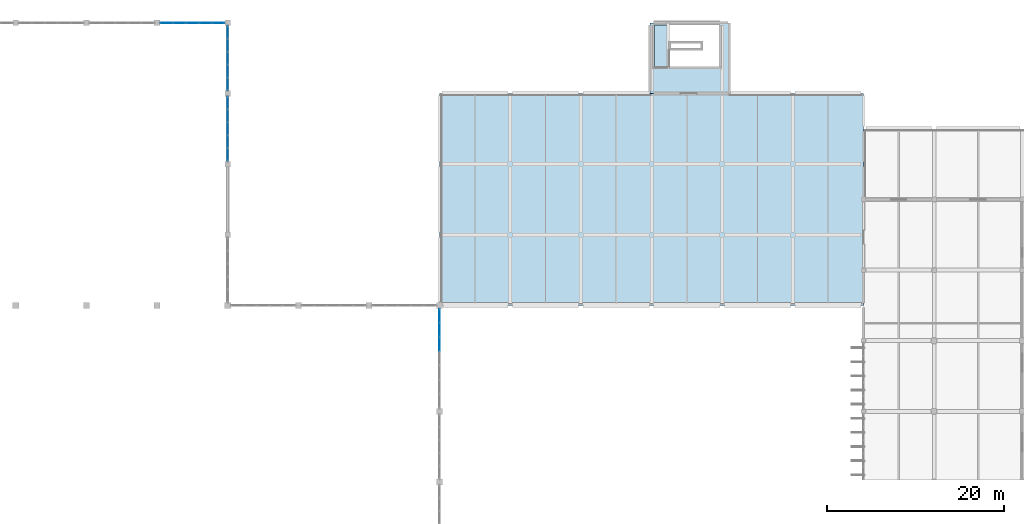
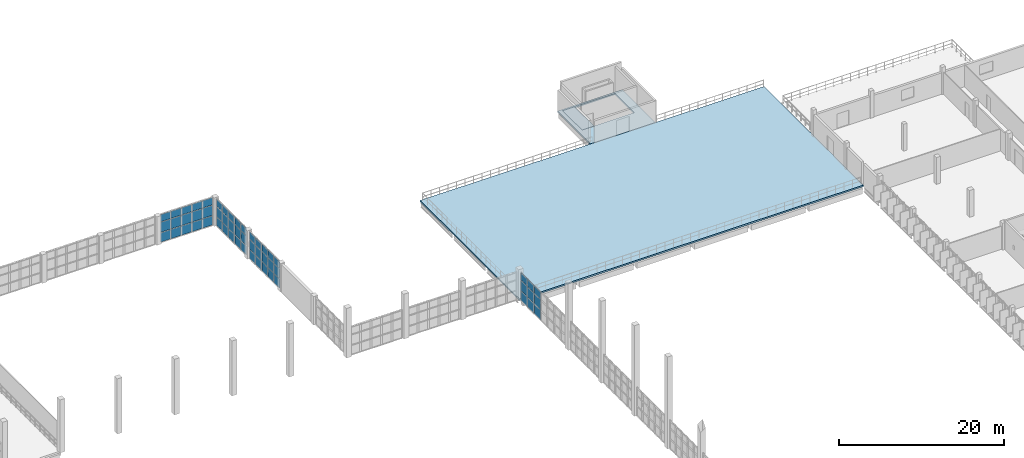
# One storey, part 41 of 66: 54 plates, 3 slabs, 4 elements without a shape of their own.
"""IFC4 building model written with IfcOpenShell, lengths in metres."""

from ifc_helpers import new_model, si_unit, direction, frame, origin, origin_2d, place, context, subcontext, project, spatial, polyline, rectangle, outline, extrude, material, layer, layer_set, type_object, element, aggregate, save


model = new_model("IFC4")

# Units and contexts
model_context = context("Model", 3, precision=1e-05, world=origin(), true_north=direction((0.0, 1.0)))
body_context = subcontext(model_context, "Body", "Model", "MODEL_VIEW")
ifc_project = project(units=[si_unit("LENGTHUNIT", "METRE"), si_unit("AREAUNIT", "SQUARE_METRE"), si_unit("VOLUMEUNIT", "CUBIC_METRE"), si_unit("PLANEANGLEUNIT", "RADIAN"), si_unit("MASSUNIT", "GRAM", prefix="KILO")], contexts=[model_context])

# Site, building, storey
site_placement = place(None, origin())
site = spatial("IfcSite", under=ifc_project, at=site_placement, CompositionType="ELEMENT")
building_placement = place(site_placement, origin())
building = spatial("IfcBuilding", under=site, at=building_placement, Name="Drelvana Railside Aquatics Centre", CompositionType="ELEMENT")
storey_placement = place(building_placement, frame((0.0, 0.0, 10.199951171875)))
storey = spatial("IfcBuildingStorey", under=building, at=storey_placement, Name="L02", CompositionType="ELEMENT", Elevation=10.199951171875)

# Curtain wall, plates
ifc_material_1 = material(Name="Bronze-anodised aluminium curtain wall", Category="aluminium")
ifc_layer_1 = layer(ifc_material_1, 0.219970703125, Name="Bronze-anodised aluminium curtain wall")
ifc_layer_set_1 = layer_set([ifc_layer_1], Name="Bronze-anodised aluminium curtain wall")
curtain_wall_type = type_object("IfcCurtainWallType", Name="CW-Z3-HIGH", PredefinedType="NOTDEFINED", material=ifc_layer_set_1)
curtain_wall_1_placement = place(storey_placement, origin())
curtain_wall_1 = element("IfcCurtainWall", 1, at=curtain_wall_1_placement, inside=storey, type_object=curtain_wall_type, Name="Curtain wall CW-03-041", PredefinedType="NOTDEFINED")
ifc_material_2 = material(Name="Double-glazed low-e solar-control glass", Category="glass")
ifc_layer_2 = layer(ifc_material_2, 0.035888671875, Name="Double-glazed low-e solar-control glass")
ifc_layer_set_2 = layer_set([ifc_layer_2], Name="Double-glazed low-e solar-control glass")
plate_type = type_object("IfcPlateType", Name="CW-Z3-HIGH-PAN", PredefinedType="CURTAIN_PANEL", material=ifc_layer_set_2)
plate_1_placement = place(storey_placement, frame((65.0751953125, 116.0, 0.06396484375), z_axis=(0.0, 0.0, 1.0), x_axis=(1.0, 0.0, 0.0)))
plate_1 = element("IfcPlate", 2, at=plate_1_placement, type_object=plate_type, Name="CW-03 panel 1.1", PredefinedType="CURTAIN_PANEL", context=body_context, shape_type="SweptSolid", body=[
    extrude(rectangle(XDim=1.3623046875, YDim=0.035888671875, at=origin_2d()), origin(), (0.0, 0.0, 1.0), 1.366455078125),
])
plate_2_placement = place(storey_placement, frame((65.0751953125, 116.0, 1.49560546875), z_axis=(0.0, 0.0, 1.0), x_axis=(1.0, 0.0, 0.0)))
plate_2 = element("IfcPlate", 3, at=plate_2_placement, type_object=plate_type, Name="CW-03 panel 1.2", PredefinedType="CURTAIN_PANEL", context=body_context, shape_type="SweptSolid", body=[
    extrude(rectangle(XDim=1.3623046875, YDim=0.035888671875, at=origin_2d()), origin(), (0.0, 0.0, 1.0), 1.487060546875),
])
plate_3_placement = place(storey_placement, frame((65.0751953125, 116.0, 3.04736328125), z_axis=(0.0, 0.0, 1.0), x_axis=(1.0, 0.0, 0.0)))
plate_3 = element("IfcPlate", 4, at=plate_3_placement, type_object=plate_type, Name="CW-03 panel 1.3", PredefinedType="CURTAIN_PANEL", context=body_context, shape_type="SweptSolid", body=[
    extrude(rectangle(XDim=1.3623046875, YDim=0.035888671875, at=origin_2d()), origin(), (0.0, 0.0, 1.0), 1.072509765625),
])
plate_4_placement = place(storey_placement, frame((66.527587890625, 116.0, 0.06396484375), z_axis=(0.0, 0.0, 1.0), x_axis=(1.0, 0.0, 0.0)))
plate_4 = element("IfcPlate", 5, at=plate_4_placement, type_object=plate_type, Name="CW-03 panel 2.1", PredefinedType="CURTAIN_PANEL", context=body_context, shape_type="SweptSolid", body=[
    extrude(rectangle(XDim=1.40234375, YDim=0.035888671875, at=origin_2d()), origin(), (0.0, 0.0, 1.0), 1.366455078125),
])
plate_5_placement = place(storey_placement, frame((66.527587890625, 116.0, 1.49560546875), z_axis=(0.0, 0.0, 1.0), x_axis=(1.0, 0.0, 0.0)))
plate_5 = element("IfcPlate", 6, at=plate_5_placement, type_object=plate_type, Name="CW-03 panel 2.2", PredefinedType="CURTAIN_PANEL", context=body_context, shape_type="SweptSolid", body=[
    extrude(rectangle(XDim=1.40234375, YDim=0.035888671875, at=origin_2d()), origin(), (0.0, 0.0, 1.0), 1.487060546875),
])
plate_6_placement = place(storey_placement, frame((66.527587890625, 116.0, 3.04736328125), z_axis=(0.0, 0.0, 1.0), x_axis=(1.0, 0.0, 0.0)))
plate_6 = element("IfcPlate", 7, at=plate_6_placement, type_object=plate_type, Name="CW-03 panel 2.3", PredefinedType="CURTAIN_PANEL", context=body_context, shape_type="SweptSolid", body=[
    extrude(rectangle(XDim=1.40234375, YDim=0.035888671875, at=origin_2d()), origin(), (0.0, 0.0, 1.0), 1.072509765625),
])
plate_7_placement = place(storey_placement, frame((68.0, 116.0, 0.06396484375), z_axis=(0.0, 0.0, 1.0), x_axis=(1.0, 0.0, 0.0)))
plate_7 = element("IfcPlate", 8, at=plate_7_placement, type_object=plate_type, Name="CW-03 panel 3.1", PredefinedType="CURTAIN_PANEL", context=body_context, shape_type="SweptSolid", body=[
    extrude(rectangle(XDim=1.40234375, YDim=0.035888671875, at=origin_2d()), origin(), (0.0, 0.0, 1.0), 1.366455078125),
])
plate_8_placement = place(storey_placement, frame((68.0, 116.0, 1.49560546875), z_axis=(0.0, 0.0, 1.0), x_axis=(1.0, 0.0, 0.0)))
plate_8 = element("IfcPlate", 9, at=plate_8_placement, type_object=plate_type, Name="CW-03 panel 3.2", PredefinedType="CURTAIN_PANEL", context=body_context, shape_type="SweptSolid", body=[
    extrude(rectangle(XDim=1.40234375, YDim=0.035888671875, at=origin_2d()), origin(), (0.0, 0.0, 1.0), 1.487060546875),
])
plate_9_placement = place(storey_placement, frame((68.0, 116.0, 3.04736328125), z_axis=(0.0, 0.0, 1.0), x_axis=(1.0, 0.0, 0.0)))
plate_9 = element("IfcPlate", 10, at=plate_9_placement, type_object=plate_type, Name="CW-03 panel 3.3", PredefinedType="CURTAIN_PANEL", context=body_context, shape_type="SweptSolid", body=[
    extrude(rectangle(XDim=1.40234375, YDim=0.035888671875, at=origin_2d()), origin(), (0.0, 0.0, 1.0), 1.072509765625),
])
plate_10_placement = place(storey_placement, frame((69.472412109375, 116.0, 0.06396484375), z_axis=(0.0, 0.0, 1.0), x_axis=(1.0, 0.0, 0.0)))
plate_10 = element("IfcPlate", 11, at=plate_10_placement, type_object=plate_type, Name="CW-03 panel 4.1", PredefinedType="CURTAIN_PANEL", context=body_context, shape_type="SweptSolid", body=[
    extrude(rectangle(XDim=1.40234375, YDim=0.035888671875, at=origin_2d()), origin(), (0.0, 0.0, 1.0), 1.366455078125),
])
plate_11_placement = place(storey_placement, frame((69.472412109375, 116.0, 1.49560546875), z_axis=(0.0, 0.0, 1.0), x_axis=(1.0, 0.0, 0.0)))
plate_11 = element("IfcPlate", 12, at=plate_11_placement, type_object=plate_type, Name="CW-03 panel 4.2", PredefinedType="CURTAIN_PANEL", context=body_context, shape_type="SweptSolid", body=[
    extrude(rectangle(XDim=1.40234375, YDim=0.035888671875, at=origin_2d()), origin(), (0.0, 0.0, 1.0), 1.487060546875),
])
plate_12_placement = place(storey_placement, frame((69.472412109375, 116.0, 3.04736328125), z_axis=(0.0, 0.0, 1.0), x_axis=(1.0, 0.0, 0.0)))
plate_12 = element("IfcPlate", 13, at=plate_12_placement, type_object=plate_type, Name="CW-03 panel 4.3", PredefinedType="CURTAIN_PANEL", context=body_context, shape_type="SweptSolid", body=[
    extrude(rectangle(XDim=1.40234375, YDim=0.035888671875, at=origin_2d()), origin(), (0.0, 0.0, 1.0), 1.072509765625),
])
plate_13_placement = place(storey_placement, frame((70.9248046875, 116.0, 0.06396484375), z_axis=(0.0, 0.0, 1.0), x_axis=(1.0, 0.0, 0.0)))
plate_13 = element("IfcPlate", 14, at=plate_13_placement, type_object=plate_type, Name="CW-03 panel 5.1", PredefinedType="CURTAIN_PANEL", context=body_context, shape_type="SweptSolid", body=[
    extrude(rectangle(XDim=1.3623046875, YDim=0.035888671875, at=origin_2d()), origin(), (0.0, 0.0, 1.0), 1.366455078125),
])
plate_14_placement = place(storey_placement, frame((70.9248046875, 116.0, 1.49560546875), z_axis=(0.0, 0.0, 1.0), x_axis=(1.0, 0.0, 0.0)))
plate_14 = element("IfcPlate", 15, at=plate_14_placement, type_object=plate_type, Name="CW-03 panel 5.2", PredefinedType="CURTAIN_PANEL", context=body_context, shape_type="SweptSolid", body=[
    extrude(rectangle(XDim=1.3623046875, YDim=0.035888671875, at=origin_2d()), origin(), (0.0, 0.0, 1.0), 1.487060546875),
])
plate_15_placement = place(storey_placement, frame((70.9248046875, 116.0, 3.04736328125), z_axis=(0.0, 0.0, 1.0), x_axis=(1.0, 0.0, 0.0)))
plate_15 = element("IfcPlate", 16, at=plate_15_placement, type_object=plate_type, Name="CW-03 panel 5.3", PredefinedType="CURTAIN_PANEL", context=body_context, shape_type="SweptSolid", body=[
    extrude(rectangle(XDim=1.3623046875, YDim=0.035888671875, at=origin_2d()), origin(), (0.0, 0.0, 1.0), 1.072509765625),
])
aggregate(curtain_wall_1, [plate_1, plate_2, plate_3, plate_4, plate_5, plate_6, plate_7, plate_8, plate_9, plate_10, plate_11, plate_12, plate_13, plate_14, plate_15])

curtain_wall_2_placement = place(storey_placement, origin())
curtain_wall_2 = element("IfcCurtainWall", 17, at=curtain_wall_2_placement, inside=storey, type_object=curtain_wall_type, Name="Curtain wall CW-03-080", PredefinedType="NOTDEFINED")
plate_16_placement = place(storey_placement, frame((96.0, 79.615966796875, 0.06396484375), z_axis=(0.0, 0.0, 1.0), x_axis=(0.0, 1.0, 0.0)))
plate_16 = element("IfcPlate", 18, at=plate_16_placement, type_object=plate_type, Name="CW-03 panel 5.1", PredefinedType="CURTAIN_PANEL", context=body_context, shape_type="SweptSolid", body=[
    extrude(rectangle(XDim=1.5458984375, YDim=0.035888671875, at=origin_2d()), origin(), (0.0, 0.0, 1.0), 1.366455078125),
])
plate_17_placement = place(storey_placement, frame((96.0, 79.615966796875, 1.49560546875), z_axis=(0.0, 0.0, 1.0), x_axis=(0.0, 1.0, 0.0)))
plate_17 = element("IfcPlate", 19, at=plate_17_placement, type_object=plate_type, Name="CW-03 panel 5.2", PredefinedType="CURTAIN_PANEL", context=body_context, shape_type="SweptSolid", body=[
    extrude(rectangle(XDim=1.5458984375, YDim=0.035888671875, at=origin_2d()), origin(), (0.0, 0.0, 1.0), 1.487060546875),
])
plate_18_placement = place(storey_placement, frame((96.0, 79.615966796875, 3.04736328125), z_axis=(0.0, 0.0, 1.0), x_axis=(0.0, 1.0, 0.0)))
plate_18 = element("IfcPlate", 20, at=plate_18_placement, type_object=plate_type, Name="CW-03 panel 5.3", PredefinedType="CURTAIN_PANEL", context=body_context, shape_type="SweptSolid", body=[
    extrude(rectangle(XDim=1.5458984375, YDim=0.035888671875, at=origin_2d()), origin(), (0.0, 0.0, 1.0), 1.072509765625),
])
plate_19_placement = place(storey_placement, frame((96.0, 81.23193359375, 0.06396484375), z_axis=(0.0, 0.0, 1.0), x_axis=(0.0, 1.0, 0.0)))
plate_19 = element("IfcPlate", 21, at=plate_19_placement, type_object=plate_type, Name="CW-03 panel 6.1", PredefinedType="CURTAIN_PANEL", context=body_context, shape_type="SweptSolid", body=[
    extrude(rectangle(XDim=1.5458984375, YDim=0.035888671875, at=origin_2d()), origin(), (0.0, 0.0, 1.0), 1.366455078125),
])
plate_20_placement = place(storey_placement, frame((96.0, 81.23193359375, 1.49560546875), z_axis=(0.0, 0.0, 1.0), x_axis=(0.0, 1.0, 0.0)))
plate_20 = element("IfcPlate", 22, at=plate_20_placement, type_object=plate_type, Name="CW-03 panel 6.2", PredefinedType="CURTAIN_PANEL", context=body_context, shape_type="SweptSolid", body=[
    extrude(rectangle(XDim=1.5458984375, YDim=0.035888671875, at=origin_2d()), origin(), (0.0, 0.0, 1.0), 1.487060546875),
])
plate_21_placement = place(storey_placement, frame((96.0, 81.23193359375, 3.04736328125), z_axis=(0.0, 0.0, 1.0), x_axis=(0.0, 1.0, 0.0)))
plate_21 = element("IfcPlate", 23, at=plate_21_placement, type_object=plate_type, Name="CW-03 panel 6.3", PredefinedType="CURTAIN_PANEL", context=body_context, shape_type="SweptSolid", body=[
    extrude(rectangle(XDim=1.5458984375, YDim=0.035888671875, at=origin_2d()), origin(), (0.0, 0.0, 1.0), 1.072509765625),
])
plate_22_placement = place(storey_placement, frame((96.0, 82.827880859375, 0.06396484375), z_axis=(0.0, 0.0, 1.0), x_axis=(0.0, 1.0, 0.0)))
plate_22 = element("IfcPlate", 24, at=plate_22_placement, type_object=plate_type, Name="CW-03 panel 7.1", PredefinedType="CURTAIN_PANEL", context=body_context, shape_type="SweptSolid", body=[
    extrude(rectangle(XDim=1.506103515625, YDim=0.035888671875, at=origin_2d()), origin(), (0.0, 0.0, 1.0), 1.366455078125),
])
plate_23_placement = place(storey_placement, frame((96.0, 82.827880859375, 1.49560546875), z_axis=(0.0, 0.0, 1.0), x_axis=(0.0, 1.0, 0.0)))
plate_23 = element("IfcPlate", 25, at=plate_23_placement, type_object=plate_type, Name="CW-03 panel 7.2", PredefinedType="CURTAIN_PANEL", context=body_context, shape_type="SweptSolid", body=[
    extrude(rectangle(XDim=1.506103515625, YDim=0.035888671875, at=origin_2d()), origin(), (0.0, 0.0, 1.0), 1.487060546875),
])
plate_24_placement = place(storey_placement, frame((96.0, 82.827880859375, 3.04736328125), z_axis=(0.0, 0.0, 1.0), x_axis=(0.0, 1.0, 0.0)))
plate_24 = element("IfcPlate", 26, at=plate_24_placement, type_object=plate_type, Name="CW-03 panel 7.3", PredefinedType="CURTAIN_PANEL", context=body_context, shape_type="SweptSolid", body=[
    extrude(rectangle(XDim=1.506103515625, YDim=0.035888671875, at=origin_2d()), origin(), (0.0, 0.0, 1.0), 1.072509765625),
])
aggregate(curtain_wall_2, [plate_16, plate_17, plate_18, plate_19, plate_20, plate_21, plate_22, plate_23, plate_24])

curtain_wall_3_placement = place(storey_placement, origin())
curtain_wall_3 = element("IfcCurtainWall", 27, at=curtain_wall_3_placement, inside=storey, type_object=curtain_wall_type, Name="Curtain wall CW-03-095", PredefinedType="NOTDEFINED")
plate_25_placement = place(storey_placement, frame((72.0, 101.0751953125, 0.064208984375), z_axis=(0.0, 0.0, 1.0), x_axis=(0.0, 1.0, 0.0)))
plate_25 = element("IfcPlate", 28, at=plate_25_placement, type_object=plate_type, Name="CW-03 panel 1.1", PredefinedType="CURTAIN_PANEL", context=body_context, shape_type="SweptSolid", body=[
    extrude(rectangle(XDim=1.3623046875, YDim=0.035888671875, at=origin_2d()), origin(), (0.0, 0.0, 1.0), 1.3173828125),
])
plate_26_placement = place(storey_placement, frame((72.0, 101.0751953125, 1.446533203125), z_axis=(0.0, 0.0, 1.0), x_axis=(0.0, 1.0, 0.0)))
plate_26 = element("IfcPlate", 29, at=plate_26_placement, type_object=plate_type, Name="CW-03 panel 1.2", PredefinedType="CURTAIN_PANEL", context=body_context, shape_type="SweptSolid", body=[
    extrude(rectangle(XDim=1.3623046875, YDim=0.035888671875, at=origin_2d()), origin(), (0.0, 0.0, 1.0), 1.43505859375),
])
plate_27_placement = place(storey_placement, frame((72.0, 101.0751953125, 2.94677734375), z_axis=(0.0, 0.0, 1.0), x_axis=(0.0, 1.0, 0.0)))
plate_27 = element("IfcPlate", 30, at=plate_27_placement, type_object=plate_type, Name="CW-03 panel 1.3", PredefinedType="CURTAIN_PANEL", context=body_context, shape_type="SweptSolid", body=[
    extrude(rectangle(XDim=1.3623046875, YDim=0.035888671875, at=origin_2d()), origin(), (0.0, 0.0, 1.0), 1.033447265625),
])
plate_28_placement = place(storey_placement, frame((72.0, 102.527587890625, 0.064208984375), z_axis=(0.0, 0.0, 1.0), x_axis=(0.0, 1.0, 0.0)))
plate_28 = element("IfcPlate", 31, at=plate_28_placement, type_object=plate_type, Name="CW-03 panel 2.1", PredefinedType="CURTAIN_PANEL", context=body_context, shape_type="SweptSolid", body=[
    extrude(rectangle(XDim=1.40234375, YDim=0.035888671875, at=origin_2d()), origin(), (0.0, 0.0, 1.0), 1.3173828125),
])
plate_29_placement = place(storey_placement, frame((72.0, 102.527587890625, 1.446533203125), z_axis=(0.0, 0.0, 1.0), x_axis=(0.0, 1.0, 0.0)))
plate_29 = element("IfcPlate", 32, at=plate_29_placement, type_object=plate_type, Name="CW-03 panel 2.2", PredefinedType="CURTAIN_PANEL", context=body_context, shape_type="SweptSolid", body=[
    extrude(rectangle(XDim=1.40234375, YDim=0.035888671875, at=origin_2d()), origin(), (0.0, 0.0, 1.0), 1.43505859375),
])
plate_30_placement = place(storey_placement, frame((72.0, 102.527587890625, 2.94677734375), z_axis=(0.0, 0.0, 1.0), x_axis=(0.0, 1.0, 0.0)))
plate_30 = element("IfcPlate", 33, at=plate_30_placement, type_object=plate_type, Name="CW-03 panel 2.3", PredefinedType="CURTAIN_PANEL", context=body_context, shape_type="SweptSolid", body=[
    extrude(rectangle(XDim=1.40234375, YDim=0.035888671875, at=origin_2d()), origin(), (0.0, 0.0, 1.0), 1.033447265625),
])
plate_31_placement = place(storey_placement, frame((72.0, 104.0, 0.064208984375), z_axis=(0.0, 0.0, 1.0), x_axis=(0.0, 1.0, 0.0)))
plate_31 = element("IfcPlate", 34, at=plate_31_placement, type_object=plate_type, Name="CW-03 panel 3.1", PredefinedType="CURTAIN_PANEL", context=body_context, shape_type="SweptSolid", body=[
    extrude(rectangle(XDim=1.40234375, YDim=0.035888671875, at=origin_2d()), origin(), (0.0, 0.0, 1.0), 1.3173828125),
])
plate_32_placement = place(storey_placement, frame((72.0, 104.0, 1.446533203125), z_axis=(0.0, 0.0, 1.0), x_axis=(0.0, 1.0, 0.0)))
plate_32 = element("IfcPlate", 35, at=plate_32_placement, type_object=plate_type, Name="CW-03 panel 3.2", PredefinedType="CURTAIN_PANEL", context=body_context, shape_type="SweptSolid", body=[
    extrude(rectangle(XDim=1.40234375, YDim=0.035888671875, at=origin_2d()), origin(), (0.0, 0.0, 1.0), 1.43505859375),
])
plate_33_placement = place(storey_placement, frame((72.0, 104.0, 2.94677734375), z_axis=(0.0, 0.0, 1.0), x_axis=(0.0, 1.0, 0.0)))
plate_33 = element("IfcPlate", 36, at=plate_33_placement, type_object=plate_type, Name="CW-03 panel 3.3", PredefinedType="CURTAIN_PANEL", context=body_context, shape_type="SweptSolid", body=[
    extrude(rectangle(XDim=1.40234375, YDim=0.035888671875, at=origin_2d()), origin(), (0.0, 0.0, 1.0), 1.033447265625),
])
plate_34_placement = place(storey_placement, frame((72.0, 105.472412109375, 0.064208984375), z_axis=(0.0, 0.0, 1.0), x_axis=(0.0, 1.0, 0.0)))
plate_34 = element("IfcPlate", 37, at=plate_34_placement, type_object=plate_type, Name="CW-03 panel 4.1", PredefinedType="CURTAIN_PANEL", context=body_context, shape_type="SweptSolid", body=[
    extrude(rectangle(XDim=1.40234375, YDim=0.035888671875, at=origin_2d()), origin(), (0.0, 0.0, 1.0), 1.3173828125),
])
plate_35_placement = place(storey_placement, frame((72.0, 105.472412109375, 1.446533203125), z_axis=(0.0, 0.0, 1.0), x_axis=(0.0, 1.0, 0.0)))
plate_35 = element("IfcPlate", 38, at=plate_35_placement, type_object=plate_type, Name="CW-03 panel 4.2", PredefinedType="CURTAIN_PANEL", context=body_context, shape_type="SweptSolid", body=[
    extrude(rectangle(XDim=1.40234375, YDim=0.035888671875, at=origin_2d()), origin(), (0.0, 0.0, 1.0), 1.43505859375),
])
plate_36_placement = place(storey_placement, frame((72.0, 105.472412109375, 2.94677734375), z_axis=(0.0, 0.0, 1.0), x_axis=(0.0, 1.0, 0.0)))
plate_36 = element("IfcPlate", 39, at=plate_36_placement, type_object=plate_type, Name="CW-03 panel 4.3", PredefinedType="CURTAIN_PANEL", context=body_context, shape_type="SweptSolid", body=[
    extrude(rectangle(XDim=1.40234375, YDim=0.035888671875, at=origin_2d()), origin(), (0.0, 0.0, 1.0), 1.033447265625),
])
plate_37_placement = place(storey_placement, frame((72.0, 106.9248046875, 0.064208984375), z_axis=(0.0, 0.0, 1.0), x_axis=(0.0, 1.0, 0.0)))
plate_37 = element("IfcPlate", 40, at=plate_37_placement, type_object=plate_type, Name="CW-03 panel 5.1", PredefinedType="CURTAIN_PANEL", context=body_context, shape_type="SweptSolid", body=[
    extrude(rectangle(XDim=1.3623046875, YDim=0.035888671875, at=origin_2d()), origin(), (0.0, 0.0, 1.0), 1.3173828125),
])
plate_38_placement = place(storey_placement, frame((72.0, 106.9248046875, 1.446533203125), z_axis=(0.0, 0.0, 1.0), x_axis=(0.0, 1.0, 0.0)))
plate_38 = element("IfcPlate", 41, at=plate_38_placement, type_object=plate_type, Name="CW-03 panel 5.2", PredefinedType="CURTAIN_PANEL", context=body_context, shape_type="SweptSolid", body=[
    extrude(rectangle(XDim=1.3623046875, YDim=0.035888671875, at=origin_2d()), origin(), (0.0, 0.0, 1.0), 1.43505859375),
])
plate_39_placement = place(storey_placement, frame((72.0, 106.9248046875, 2.94677734375), z_axis=(0.0, 0.0, 1.0), x_axis=(0.0, 1.0, 0.0)))
plate_39 = element("IfcPlate", 42, at=plate_39_placement, type_object=plate_type, Name="CW-03 panel 5.3", PredefinedType="CURTAIN_PANEL", context=body_context, shape_type="SweptSolid", body=[
    extrude(rectangle(XDim=1.3623046875, YDim=0.035888671875, at=origin_2d()), origin(), (0.0, 0.0, 1.0), 1.033447265625),
])
aggregate(curtain_wall_3, [plate_25, plate_26, plate_27, plate_28, plate_29, plate_30, plate_31, plate_32, plate_33, plate_34, plate_35, plate_36, plate_37, plate_38, plate_39])

curtain_wall_4_placement = place(storey_placement, origin())
curtain_wall_4 = element("IfcCurtainWall", 43, at=curtain_wall_4_placement, inside=storey, type_object=curtain_wall_type, Name="Curtain wall CW-03-098", PredefinedType="NOTDEFINED")
plate_40_placement = place(storey_placement, frame((72.0, 109.0751953125, 0.064208984375), z_axis=(0.0, 0.0, 1.0), x_axis=(0.0, 1.0, 0.0)))
plate_40 = element("IfcPlate", 44, at=plate_40_placement, type_object=plate_type, Name="CW-03 panel 1.1", PredefinedType="CURTAIN_PANEL", context=body_context, shape_type="SweptSolid", body=[
    extrude(rectangle(XDim=1.3623046875, YDim=0.035888671875, at=origin_2d()), origin(), (0.0, 0.0, 1.0), 1.3173828125),
])
plate_41_placement = place(storey_placement, frame((72.0, 109.0751953125, 1.446533203125), z_axis=(0.0, 0.0, 1.0), x_axis=(0.0, 1.0, 0.0)))
plate_41 = element("IfcPlate", 45, at=plate_41_placement, type_object=plate_type, Name="CW-03 panel 1.2", PredefinedType="CURTAIN_PANEL", context=body_context, shape_type="SweptSolid", body=[
    extrude(rectangle(XDim=1.3623046875, YDim=0.035888671875, at=origin_2d()), origin(), (0.0, 0.0, 1.0), 1.43505859375),
])
plate_42_placement = place(storey_placement, frame((72.0, 109.0751953125, 2.94677734375), z_axis=(0.0, 0.0, 1.0), x_axis=(0.0, 1.0, 0.0)))
plate_42 = element("IfcPlate", 46, at=plate_42_placement, type_object=plate_type, Name="CW-03 panel 1.3", PredefinedType="CURTAIN_PANEL", context=body_context, shape_type="SweptSolid", body=[
    extrude(rectangle(XDim=1.3623046875, YDim=0.035888671875, at=origin_2d()), origin(), (0.0, 0.0, 1.0), 1.033447265625),
])
plate_43_placement = place(storey_placement, frame((72.0, 110.527587890625, 0.064208984375), z_axis=(0.0, 0.0, 1.0), x_axis=(0.0, 1.0, 0.0)))
plate_43 = element("IfcPlate", 47, at=plate_43_placement, type_object=plate_type, Name="CW-03 panel 2.1", PredefinedType="CURTAIN_PANEL", context=body_context, shape_type="SweptSolid", body=[
    extrude(rectangle(XDim=1.40234375, YDim=0.035888671875, at=origin_2d()), origin(), (0.0, 0.0, 1.0), 1.3173828125),
])
plate_44_placement = place(storey_placement, frame((72.0, 110.527587890625, 1.446533203125), z_axis=(0.0, 0.0, 1.0), x_axis=(0.0, 1.0, 0.0)))
plate_44 = element("IfcPlate", 48, at=plate_44_placement, type_object=plate_type, Name="CW-03 panel 2.2", PredefinedType="CURTAIN_PANEL", context=body_context, shape_type="SweptSolid", body=[
    extrude(rectangle(XDim=1.40234375, YDim=0.035888671875, at=origin_2d()), origin(), (0.0, 0.0, 1.0), 1.43505859375),
])
plate_45_placement = place(storey_placement, frame((72.0, 110.527587890625, 2.94677734375), z_axis=(0.0, 0.0, 1.0), x_axis=(0.0, 1.0, 0.0)))
plate_45 = element("IfcPlate", 49, at=plate_45_placement, type_object=plate_type, Name="CW-03 panel 2.3", PredefinedType="CURTAIN_PANEL", context=body_context, shape_type="SweptSolid", body=[
    extrude(rectangle(XDim=1.40234375, YDim=0.035888671875, at=origin_2d()), origin(), (0.0, 0.0, 1.0), 1.033447265625),
])
plate_46_placement = place(storey_placement, frame((72.0, 112.0, 0.064208984375), z_axis=(0.0, 0.0, 1.0), x_axis=(0.0, 1.0, 0.0)))
plate_46 = element("IfcPlate", 50, at=plate_46_placement, type_object=plate_type, Name="CW-03 panel 3.1", PredefinedType="CURTAIN_PANEL", context=body_context, shape_type="SweptSolid", body=[
    extrude(rectangle(XDim=1.40234375, YDim=0.035888671875, at=origin_2d()), origin(), (0.0, 0.0, 1.0), 1.3173828125),
])
plate_47_placement = place(storey_placement, frame((72.0, 112.0, 1.446533203125), z_axis=(0.0, 0.0, 1.0), x_axis=(0.0, 1.0, 0.0)))
plate_47 = element("IfcPlate", 51, at=plate_47_placement, type_object=plate_type, Name="CW-03 panel 3.2", PredefinedType="CURTAIN_PANEL", context=body_context, shape_type="SweptSolid", body=[
    extrude(rectangle(XDim=1.40234375, YDim=0.035888671875, at=origin_2d()), origin(), (0.0, 0.0, 1.0), 1.43505859375),
])
plate_48_placement = place(storey_placement, frame((72.0, 112.0, 2.94677734375), z_axis=(0.0, 0.0, 1.0), x_axis=(0.0, 1.0, 0.0)))
plate_48 = element("IfcPlate", 52, at=plate_48_placement, type_object=plate_type, Name="CW-03 panel 3.3", PredefinedType="CURTAIN_PANEL", context=body_context, shape_type="SweptSolid", body=[
    extrude(rectangle(XDim=1.40234375, YDim=0.035888671875, at=origin_2d()), origin(), (0.0, 0.0, 1.0), 1.033447265625),
])
plate_49_placement = place(storey_placement, frame((72.0, 113.472412109375, 0.064208984375), z_axis=(0.0, 0.0, 1.0), x_axis=(0.0, 1.0, 0.0)))
plate_49 = element("IfcPlate", 53, at=plate_49_placement, type_object=plate_type, Name="CW-03 panel 4.1", PredefinedType="CURTAIN_PANEL", context=body_context, shape_type="SweptSolid", body=[
    extrude(rectangle(XDim=1.40234375, YDim=0.035888671875, at=origin_2d()), origin(), (0.0, 0.0, 1.0), 1.3173828125),
])
plate_50_placement = place(storey_placement, frame((72.0, 113.472412109375, 1.446533203125), z_axis=(0.0, 0.0, 1.0), x_axis=(0.0, 1.0, 0.0)))
plate_50 = element("IfcPlate", 54, at=plate_50_placement, type_object=plate_type, Name="CW-03 panel 4.2", PredefinedType="CURTAIN_PANEL", context=body_context, shape_type="SweptSolid", body=[
    extrude(rectangle(XDim=1.40234375, YDim=0.035888671875, at=origin_2d()), origin(), (0.0, 0.0, 1.0), 1.43505859375),
])
plate_51_placement = place(storey_placement, frame((72.0, 113.472412109375, 2.94677734375), z_axis=(0.0, 0.0, 1.0), x_axis=(0.0, 1.0, 0.0)))
plate_51 = element("IfcPlate", 55, at=plate_51_placement, type_object=plate_type, Name="CW-03 panel 4.3", PredefinedType="CURTAIN_PANEL", context=body_context, shape_type="SweptSolid", body=[
    extrude(rectangle(XDim=1.40234375, YDim=0.035888671875, at=origin_2d()), origin(), (0.0, 0.0, 1.0), 1.033447265625),
])
plate_52_placement = place(storey_placement, frame((72.0, 114.9248046875, 0.064208984375), z_axis=(0.0, 0.0, 1.0), x_axis=(0.0, 1.0, 0.0)))
plate_52 = element("IfcPlate", 56, at=plate_52_placement, type_object=plate_type, Name="CW-03 panel 5.1", PredefinedType="CURTAIN_PANEL", context=body_context, shape_type="SweptSolid", body=[
    extrude(rectangle(XDim=1.3623046875, YDim=0.035888671875, at=origin_2d()), origin(), (0.0, 0.0, 1.0), 1.3173828125),
])
plate_53_placement = place(storey_placement, frame((72.0, 114.9248046875, 1.446533203125), z_axis=(0.0, 0.0, 1.0), x_axis=(0.0, 1.0, 0.0)))
plate_53 = element("IfcPlate", 57, at=plate_53_placement, type_object=plate_type, Name="CW-03 panel 5.2", PredefinedType="CURTAIN_PANEL", context=body_context, shape_type="SweptSolid", body=[
    extrude(rectangle(XDim=1.3623046875, YDim=0.035888671875, at=origin_2d()), origin(), (0.0, 0.0, 1.0), 1.43505859375),
])
plate_54_placement = place(storey_placement, frame((72.0, 114.9248046875, 2.94677734375), z_axis=(0.0, 0.0, 1.0), x_axis=(0.0, 1.0, 0.0)))
plate_54 = element("IfcPlate", 58, at=plate_54_placement, type_object=plate_type, Name="CW-03 panel 5.3", PredefinedType="CURTAIN_PANEL", context=body_context, shape_type="SweptSolid", body=[
    extrude(rectangle(XDim=1.3623046875, YDim=0.035888671875, at=origin_2d()), origin(), (0.0, 0.0, 1.0), 1.033447265625),
])
aggregate(curtain_wall_4, [plate_40, plate_41, plate_42, plate_43, plate_44, plate_45, plate_46, plate_47, plate_48, plate_49, plate_50, plate_51, plate_52, plate_53, plate_54])

# Slabs
ifc_material_3 = material(Name="Concrete C40/50", Category="concrete")
ifc_layer_3 = layer(ifc_material_3, 0.199951171875, Name="Concrete C40/50")
ifc_layer_set_3 = layer_set([ifc_layer_3], Name="Concrete C40/50")
slab_type_1 = type_object("IfcSlabType", Name="SL-LAND-200", PredefinedType="LANDING", material=ifc_layer_set_3)
slab_1_placement = place(storey_placement, frame((0.0, 0.0, -0.199951171875)))
element("IfcSlab", 59, at=slab_1_placement, inside=storey, type_object=slab_type_1, Name="Stair ST-05 L02 floor landing", PredefinedType="LANDING", context=body_context, shape_type="SweptSolid", body=[
    extrude(outline(polyline([(120.35009765625, 111.050048828125), (122.030029296875, 111.050048828125), (122.030029296875, 115.75), (120.35009765625, 115.75), (120.35009765625, 111.050048828125)])), origin(), (0.0, 0.0, 1.0), 0.199951171875),
])
ifc_layer_4 = layer(ifc_material_3, 0.215087890625, Name="Concrete C40/50")
ifc_layer_set_4 = layer_set([ifc_layer_4], Name="Concrete C40/50")
slab_type_2 = type_object("IfcSlabType", Name="SL-RF-215", PredefinedType="ROOF", material=ifc_layer_set_4)
slab_2_placement = place(storey_placement, frame((0.0, 0.0, -0.21484375)))
element("IfcSlab", 60, at=slab_2_placement, inside=storey, type_object=slab_type_2, Name="Core 5 L02 stair landing lobby slab", PredefinedType="ROOF", context=body_context, shape_type="SweptSolid", body=[
    extrude(outline(polyline([(119.800048828125, 108.0), (128.800048828125, 108.0), (128.800048828125, 116.0), (119.800048828125, 116.0), (119.800048828125, 108.0)]), holes=[polyline([(120.35009765625, 111.050048828125), (127.64990234375, 111.050048828125), (127.64990234375, 115.75), (120.35009765625, 115.75), (120.35009765625, 111.050048828125)])]), origin(), (0.0, 0.0, 1.0), 0.21484375),
])
ifc_material_4 = material(Name="Waterproof concrete C40/50", Category="concrete")
ifc_layer_5 = layer(ifc_material_4, 0.22998046875, Name="Waterproof concrete C40/50")
ifc_layer_set_5 = layer_set([ifc_layer_5], Name="Waterproof concrete C40/50")
slab_type_3 = type_object("IfcSlabType", Name="SL-TER-230", PredefinedType="FLOOR", material=ifc_layer_set_5)
slab_3_placement = place(storey_placement, frame((0.0, 0.0, -0.22998046875)))
element("IfcSlab", 61, at=slab_3_placement, inside=storey, type_object=slab_type_3, Name="North Court Roof-Garden Terrace slab", PredefinedType="FLOOR", context=body_context, shape_type="SweptSolid", body=[
    extrude(outline(polyline([(96.0, 84.0), (144.0, 84.0), (144.0, 108.0), (96.0, 108.0), (96.0, 84.0)])), origin(), (0.0, 0.0, 1.0), 0.22998046875),
])

save(model, "model.ifc")
